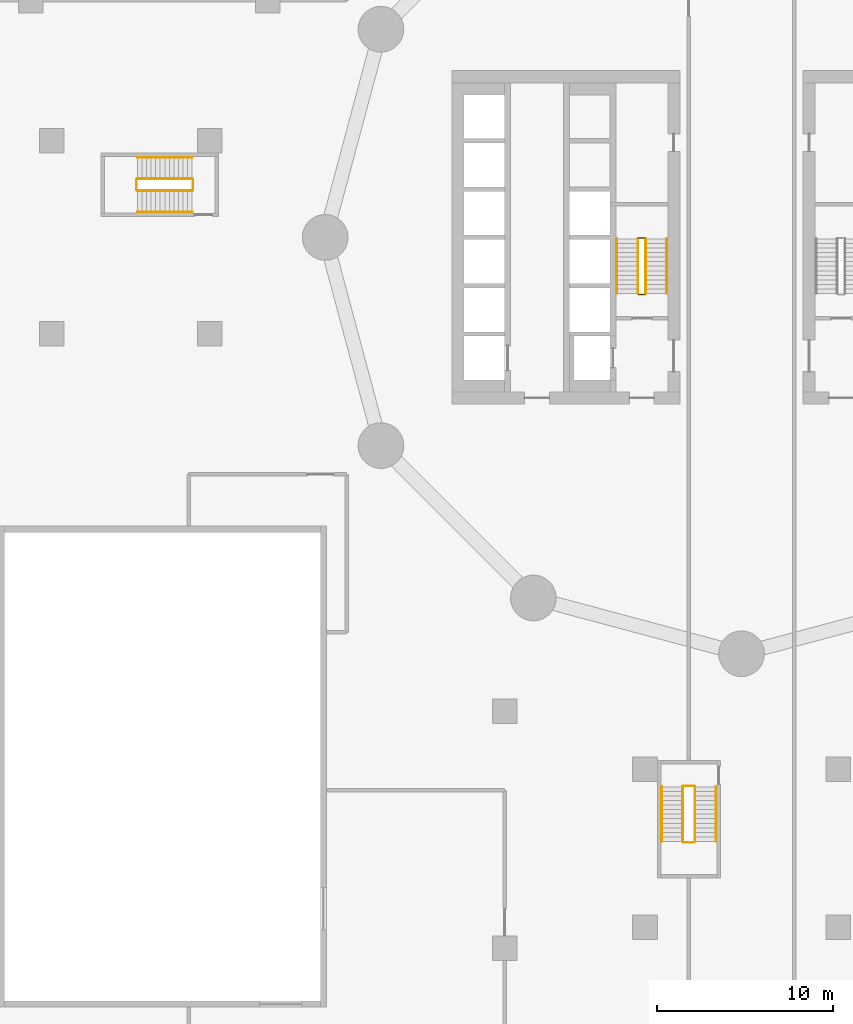
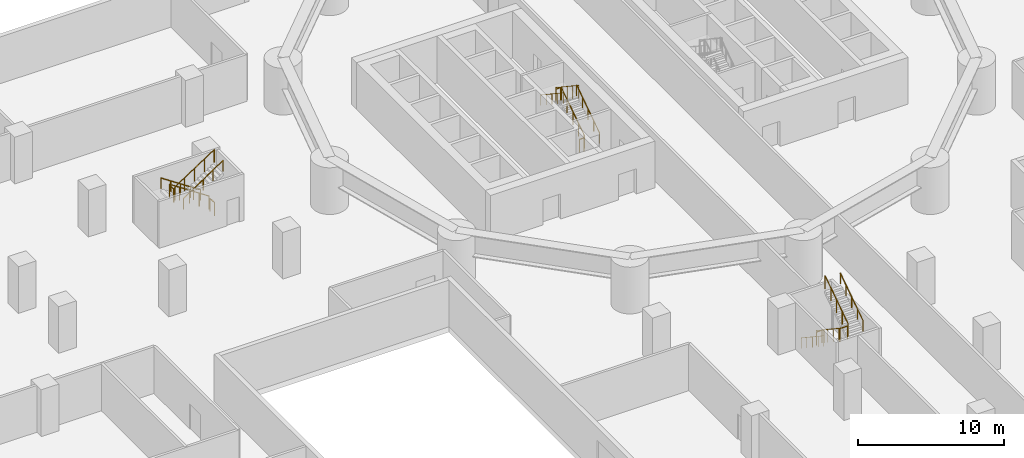
# One storey, part 13 of 16: 18 railings.
"""IFC4 building model written with IfcOpenShell, lengths in metres."""

from ifc_helpers import new_model, si_unit, direction, frame, origin, origin_2d, place, context, subcontext, project, spatial, circle, extrude, material, type_object, element, save


model = new_model("IFC4")

# Units and contexts
model_context = context("Model", 3, precision=1e-05, world=origin(), true_north=direction((0.0, 1.0)))
body_context = subcontext(model_context, "Body", "Model", "MODEL_VIEW")
ifc_project = project(units=[si_unit("LENGTHUNIT", "METRE"), si_unit("AREAUNIT", "SQUARE_METRE"), si_unit("VOLUMEUNIT", "CUBIC_METRE"), si_unit("PLANEANGLEUNIT", "RADIAN"), si_unit("MASSUNIT", "GRAM", prefix="KILO")], contexts=[model_context])

# Site, building, storey
site_placement = place(None, origin())
site = spatial("IfcSite", under=ifc_project, at=site_placement, CompositionType="ELEMENT")
building_placement = place(site_placement, origin())
building = spatial("IfcBuilding", under=site, at=building_placement, Name="Tamarind Cross Interchange Tower", CompositionType="ELEMENT")
storey_placement = place(building_placement, frame((0.0, 0.0, 25.0)))
storey = spatial("IfcBuildingStorey", under=building, at=storey_placement, Name="L04", CompositionType="ELEMENT", Elevation=25.0)

# Railings
ifc_material_1 = material(Name="Stair guard")
railing_type_1 = type_object("IfcRailingType", Name="Stair guard", PredefinedType="GUARDRAIL", material=ifc_material_1)
railing_1_placement = place(storey_placement, frame((-5.449951171875, -3.199951171875, 0.173095703125)))
element("IfcRailing", 1, at=railing_1_placement, inside=storey, type_object=railing_type_1, Name="L04 ST1 stair guard 1", PredefinedType="GUARDRAIL", context=body_context, shape_type="SweptSolid", body=[
    extrude(circle(Radius=0.02392578125, at=origin_2d()), frame((0.0, 0.0, 1.076171875), z_axis=(0.0, 0.832420903958, 0.554143879018), x_axis=(-1.0, 0.0, 0.0)), (0.0, 0.0, 1.0), 3.748046875),
    extrude(circle(Radius=0.02099609375, at=origin_2d()), origin(), (0.0, 0.0, 1.0), 1.052001953125),
    extrude(circle(Radius=0.02099609375, at=origin_2d()), frame((0.0, 0.780029296875, 0.519287109375)), (0.0, 0.0, 1.0), 1.052001953125),
    extrude(circle(Radius=0.02099609375, at=origin_2d()), frame((0.0, 1.56005859375, 1.03857421875)), (0.0, 0.0, 1.0), 1.052001953125),
    extrude(circle(Radius=0.02099609375, at=origin_2d()), frame((0.0, 2.33984375, 1.5576171875)), (0.0, 0.0, 1.0), 1.052001953125),
    extrude(circle(Radius=0.02099609375, at=origin_2d()), frame((0.0, 3.119873046875, 2.076904296875)), (0.0, 0.0, 1.0), 1.052001953125),
])
railing_2_placement = place(storey_placement, frame((-5.5, -0.030029296875, 2.25)))
element("IfcRailing", 2, at=railing_2_placement, inside=storey, type_object=railing_type_1, Name="L04 ST1 stair guard 2", PredefinedType="GUARDRAIL", context=body_context, shape_type="SweptSolid", body=[
    extrude(circle(Radius=0.02392578125, at=origin_2d()), frame((0.0, 0.0, 1.076171875), z_axis=(-1.0, 0.0, 0.0), x_axis=(0.0, -1.0, 0.0)), (0.0, 0.0, 1.0), 0.35009765625),
    extrude(circle(Radius=0.02099609375, at=origin_2d()), origin(), (0.0, 0.0, 1.0), 1.052001953125),
    extrude(circle(Radius=0.02099609375, at=origin_2d()), frame((-0.35009765625, 0.0, 0.0)), (0.0, 0.0, 1.0), 1.052001953125),
])
railing_3_placement = place(storey_placement, frame((-5.89990234375, -0.080078125, 2.423095703125)))
element("IfcRailing", 3, at=railing_3_placement, inside=storey, type_object=railing_type_1, Name="L04 ST1 stair guard 3", PredefinedType="GUARDRAIL", context=body_context, shape_type="SweptSolid", body=[
    extrude(circle(Radius=0.02392578125, at=origin_2d()), frame((0.0, 0.0, 1.076171875), z_axis=(0.0, -0.832420903958, 0.554143879018), x_axis=(1.0, 0.0, 0.0)), (0.0, 0.0, 1.0), 3.748046875),
    extrude(circle(Radius=0.02099609375, at=origin_2d()), origin(), (0.0, 0.0, 1.0), 1.052001953125),
    extrude(circle(Radius=0.02099609375, at=origin_2d()), frame((0.0, -0.780029296875, 0.519287109375)), (0.0, 0.0, 1.0), 1.052001953125),
    extrude(circle(Radius=0.02099609375, at=origin_2d()), frame((0.0, -1.56005859375, 1.03857421875)), (0.0, 0.0, 1.0), 1.052001953125),
    extrude(circle(Radius=0.02099609375, at=origin_2d()), frame((0.0, -2.33984375, 1.5576171875)), (0.0, 0.0, 1.0), 1.052001953125),
    extrude(circle(Radius=0.02099609375, at=origin_2d()), frame((0.0, -3.119873046875, 2.076904296875)), (0.0, 0.0, 1.0), 1.052001953125),
])
railing_4_placement = place(storey_placement, frame((-5.5, -3.25, 0.0)))
element("IfcRailing", 4, at=railing_4_placement, inside=storey, type_object=railing_type_1, Name="L04 ST1 stair guard 4", PredefinedType="GUARDRAIL", context=body_context, shape_type="SweptSolid", body=[
    extrude(circle(Radius=0.02392578125, at=origin_2d()), frame((0.0, 0.0, 1.076171875), z_axis=(-1.0, 0.0, 0.0), x_axis=(0.0, -1.0, 0.0)), (0.0, 0.0, 1.0), 0.35009765625),
    extrude(circle(Radius=0.02099609375, at=origin_2d()), origin(), (0.0, 0.0, 1.0), 1.052001953125),
    extrude(circle(Radius=0.02099609375, at=origin_2d()), frame((-0.35009765625, 0.0, 0.0)), (0.0, 0.0, 1.0), 1.052001953125),
])
railing_5_placement = place(storey_placement, frame((-31.300048828125, 3.35009765625, 0.173095703125)))
element("IfcRailing", 5, at=railing_5_placement, inside=storey, type_object=railing_type_1, Name="L04 ST5 stair guard 1", PredefinedType="GUARDRAIL", context=body_context, shape_type="SweptSolid", body=[
    extrude(circle(Radius=0.02392578125, at=origin_2d()), frame((0.0, 0.0, 1.076171875), z_axis=(-0.832420903958, 0.0, 0.554143879018), x_axis=(0.0, -1.0, 0.0)), (0.0, 0.0, 1.0), 3.748046875),
    extrude(circle(Radius=0.02099609375, at=origin_2d()), origin(), (0.0, 0.0, 1.0), 1.052001953125),
    extrude(circle(Radius=0.02099609375, at=origin_2d()), frame((-0.780029296875, 0.0, 0.519287109375)), (0.0, 0.0, 1.0), 1.052001953125),
    extrude(circle(Radius=0.02099609375, at=origin_2d()), frame((-1.56005859375, 0.0, 1.03857421875)), (0.0, 0.0, 1.0), 1.052001953125),
    extrude(circle(Radius=0.02099609375, at=origin_2d()), frame((-2.33984375, 0.0, 1.5576171875)), (0.0, 0.0, 1.0), 1.052001953125),
    extrude(circle(Radius=0.02099609375, at=origin_2d()), frame((-3.119873046875, 0.0, 2.076904296875)), (0.0, 0.0, 1.0), 1.052001953125),
])
railing_6_placement = place(storey_placement, frame((-34.469970703125, 3.300048828125, 2.25)))
element("IfcRailing", 6, at=railing_6_placement, inside=storey, type_object=railing_type_1, Name="L04 ST5 stair guard 2", PredefinedType="GUARDRAIL", context=body_context, shape_type="SweptSolid", body=[
    extrude(circle(Radius=0.02392578125, at=origin_2d()), frame((0.0, 0.0, 1.076171875), z_axis=(0.0, -1.0, 0.0), x_axis=(1.0, 0.0, 0.0)), (0.0, 0.0, 1.0), 0.60009765625),
    extrude(circle(Radius=0.02099609375, at=origin_2d()), origin(), (0.0, 0.0, 1.0), 1.052001953125),
    extrude(circle(Radius=0.02099609375, at=origin_2d()), frame((0.0, -0.60009765625, 0.0)), (0.0, 0.0, 1.0), 1.052001953125),
])
railing_7_placement = place(storey_placement, frame((-34.419921875, 2.64990234375, 2.423095703125)))
element("IfcRailing", 7, at=railing_7_placement, inside=storey, type_object=railing_type_1, Name="L04 ST5 stair guard 3", PredefinedType="GUARDRAIL", context=body_context, shape_type="SweptSolid", body=[
    extrude(circle(Radius=0.02392578125, at=origin_2d()), frame((0.0, 0.0, 1.076171875), z_axis=(0.832420903958, 0.0, 0.554143879018), x_axis=(0.0, 1.0, 0.0)), (0.0, 0.0, 1.0), 3.748046875),
    extrude(circle(Radius=0.02099609375, at=origin_2d()), origin(), (0.0, 0.0, 1.0), 1.052001953125),
    extrude(circle(Radius=0.02099609375, at=origin_2d()), frame((0.780029296875, 0.0, 0.519287109375)), (0.0, 0.0, 1.0), 1.052001953125),
    extrude(circle(Radius=0.02099609375, at=origin_2d()), frame((1.56005859375, 0.0, 1.03857421875)), (0.0, 0.0, 1.0), 1.052001953125),
    extrude(circle(Radius=0.02099609375, at=origin_2d()), frame((2.33984375, 0.0, 1.5576171875)), (0.0, 0.0, 1.0), 1.052001953125),
    extrude(circle(Radius=0.02099609375, at=origin_2d()), frame((3.119873046875, 0.0, 2.076904296875)), (0.0, 0.0, 1.0), 1.052001953125),
])
railing_8_placement = place(storey_placement, frame((-31.25, 3.300048828125, 0.0)))
element("IfcRailing", 8, at=railing_8_placement, inside=storey, type_object=railing_type_1, Name="L04 ST5 stair guard 4", PredefinedType="GUARDRAIL", context=body_context, shape_type="SweptSolid", body=[
    extrude(circle(Radius=0.02392578125, at=origin_2d()), frame((0.0, 0.0, 1.076171875), z_axis=(0.0, -1.0, 0.0), x_axis=(1.0, 0.0, 0.0)), (0.0, 0.0, 1.0), 0.60009765625),
    extrude(circle(Radius=0.02099609375, at=origin_2d()), origin(), (0.0, 0.0, 1.0), 1.052001953125),
    extrude(circle(Radius=0.02099609375, at=origin_2d()), frame((0.0, -0.60009765625, 0.0)), (0.0, 0.0, 1.0), 1.052001953125),
])
railing_9_placement = place(storey_placement, frame((-3.35009765625, -31.300048828125, 0.173095703125)))
element("IfcRailing", 9, at=railing_9_placement, inside=storey, type_object=railing_type_1, Name="L04 ST6 stair guard 1", PredefinedType="GUARDRAIL", context=body_context, shape_type="SweptSolid", body=[
    extrude(circle(Radius=0.02392578125, at=origin_2d()), frame((0.0, 0.0, 1.076171875), z_axis=(0.0, -0.832420903958, 0.554143879018), x_axis=(1.0, 0.0, 0.0)), (0.0, 0.0, 1.0), 3.748046875),
    extrude(circle(Radius=0.02099609375, at=origin_2d()), origin(), (0.0, 0.0, 1.0), 1.052001953125),
    extrude(circle(Radius=0.02099609375, at=origin_2d()), frame((0.0, -0.780029296875, 0.519287109375)), (0.0, 0.0, 1.0), 1.052001953125),
    extrude(circle(Radius=0.02099609375, at=origin_2d()), frame((0.0, -1.56005859375, 1.03857421875)), (0.0, 0.0, 1.0), 1.052001953125),
    extrude(circle(Radius=0.02099609375, at=origin_2d()), frame((0.0, -2.33984375, 1.5576171875)), (0.0, 0.0, 1.0), 1.052001953125),
    extrude(circle(Radius=0.02099609375, at=origin_2d()), frame((0.0, -3.119873046875, 2.076904296875)), (0.0, 0.0, 1.0), 1.052001953125),
])
railing_10_placement = place(storey_placement, frame((-3.300048828125, -34.469970703125, 2.25)))
element("IfcRailing", 10, at=railing_10_placement, inside=storey, type_object=railing_type_1, Name="L04 ST6 stair guard 2", PredefinedType="GUARDRAIL", context=body_context, shape_type="SweptSolid", body=[
    extrude(circle(Radius=0.02392578125, at=origin_2d()), frame((0.0, 0.0, 1.076171875), z_axis=(1.0, 0.0, 0.0), x_axis=(0.0, 1.0, 0.0)), (0.0, 0.0, 1.0), 0.60009765625),
    extrude(circle(Radius=0.02099609375, at=origin_2d()), origin(), (0.0, 0.0, 1.0), 1.052001953125),
    extrude(circle(Radius=0.02099609375, at=origin_2d()), frame((0.60009765625, 0.0, 0.0)), (0.0, 0.0, 1.0), 1.052001953125),
])
railing_11_placement = place(storey_placement, frame((-2.64990234375, -34.419921875, 2.423095703125)))
element("IfcRailing", 11, at=railing_11_placement, inside=storey, type_object=railing_type_1, Name="L04 ST6 stair guard 3", PredefinedType="GUARDRAIL", context=body_context, shape_type="SweptSolid", body=[
    extrude(circle(Radius=0.02392578125, at=origin_2d()), frame((0.0, 0.0, 1.076171875), z_axis=(0.0, 0.832420903958, 0.554143879018), x_axis=(-1.0, 0.0, 0.0)), (0.0, 0.0, 1.0), 3.748046875),
    extrude(circle(Radius=0.02099609375, at=origin_2d()), origin(), (0.0, 0.0, 1.0), 1.052001953125),
    extrude(circle(Radius=0.02099609375, at=origin_2d()), frame((0.0, 0.780029296875, 0.519287109375)), (0.0, 0.0, 1.0), 1.052001953125),
    extrude(circle(Radius=0.02099609375, at=origin_2d()), frame((0.0, 1.56005859375, 1.03857421875)), (0.0, 0.0, 1.0), 1.052001953125),
    extrude(circle(Radius=0.02099609375, at=origin_2d()), frame((0.0, 2.33984375, 1.5576171875)), (0.0, 0.0, 1.0), 1.052001953125),
    extrude(circle(Radius=0.02099609375, at=origin_2d()), frame((0.0, 3.119873046875, 2.076904296875)), (0.0, 0.0, 1.0), 1.052001953125),
])
railing_12_placement = place(storey_placement, frame((-3.300048828125, -31.25, 0.0)))
element("IfcRailing", 12, at=railing_12_placement, inside=storey, type_object=railing_type_1, Name="L04 ST6 stair guard 4", PredefinedType="GUARDRAIL", context=body_context, shape_type="SweptSolid", body=[
    extrude(circle(Radius=0.02392578125, at=origin_2d()), frame((0.0, 0.0, 1.076171875), z_axis=(1.0, 0.0, 0.0), x_axis=(0.0, 1.0, 0.0)), (0.0, 0.0, 1.0), 0.60009765625),
    extrude(circle(Radius=0.02099609375, at=origin_2d()), origin(), (0.0, 0.0, 1.0), 1.052001953125),
    extrude(circle(Radius=0.02099609375, at=origin_2d()), frame((0.60009765625, 0.0, 0.0)), (0.0, 0.0, 1.0), 1.052001953125),
])
ifc_material_2 = material(Name="Stair handrail")
railing_type_2 = type_object("IfcRailingType", Name="Stair handrail", PredefinedType="HANDRAIL", material=ifc_material_2)
railing_13_placement = place(storey_placement, frame((-4.25, -3.199951171875, 0.173095703125)))
element("IfcRailing", 13, at=railing_13_placement, inside=storey, type_object=railing_type_2, Name="L04 ST1 stair handrail 1", PredefinedType="HANDRAIL", context=body_context, shape_type="SweptSolid", body=[
    extrude(circle(Radius=0.02392578125, at=origin_2d()), frame((0.0, 0.0, 0.8759765625), z_axis=(0.0, 0.832420903958, 0.554143879018), x_axis=(-1.0, 0.0, 0.0)), (0.0, 0.0, 1.0), 3.748046875),
    extrude(circle(Radius=0.02099609375, at=origin_2d()), origin(), (0.0, 0.0, 1.0), 0.851806640625),
    extrude(circle(Radius=0.02099609375, at=origin_2d()), frame((0.0, 0.780029296875, 0.519287109375)), (0.0, 0.0, 1.0), 0.851806640625),
    extrude(circle(Radius=0.02099609375, at=origin_2d()), frame((0.0, 1.56005859375, 1.03857421875)), (0.0, 0.0, 1.0), 0.851806640625),
    extrude(circle(Radius=0.02099609375, at=origin_2d()), frame((0.0, 2.33984375, 1.5576171875)), (0.0, 0.0, 1.0), 0.851806640625),
    extrude(circle(Radius=0.02099609375, at=origin_2d()), frame((0.0, 3.119873046875, 2.076904296875)), (0.0, 0.0, 1.0), 0.851806640625),
])
railing_14_placement = place(storey_placement, frame((-7.10009765625, -0.080078125, 2.423095703125)))
element("IfcRailing", 14, at=railing_14_placement, inside=storey, type_object=railing_type_2, Name="L04 ST1 stair handrail 2", PredefinedType="HANDRAIL", context=body_context, shape_type="SweptSolid", body=[
    extrude(circle(Radius=0.02392578125, at=origin_2d()), frame((0.0, 0.0, 0.8759765625), z_axis=(0.0, -0.832420903958, 0.554143879018), x_axis=(1.0, 0.0, 0.0)), (0.0, 0.0, 1.0), 3.748046875),
    extrude(circle(Radius=0.02099609375, at=origin_2d()), origin(), (0.0, 0.0, 1.0), 0.851806640625),
    extrude(circle(Radius=0.02099609375, at=origin_2d()), frame((0.0, -0.780029296875, 0.519287109375)), (0.0, 0.0, 1.0), 0.851806640625),
    extrude(circle(Radius=0.02099609375, at=origin_2d()), frame((0.0, -1.56005859375, 1.03857421875)), (0.0, 0.0, 1.0), 0.851806640625),
    extrude(circle(Radius=0.02099609375, at=origin_2d()), frame((0.0, -2.33984375, 1.5576171875)), (0.0, 0.0, 1.0), 0.851806640625),
    extrude(circle(Radius=0.02099609375, at=origin_2d()), frame((0.0, -3.119873046875, 2.076904296875)), (0.0, 0.0, 1.0), 0.851806640625),
])
railing_15_placement = place(storey_placement, frame((-31.300048828125, 4.550048828125, 0.173095703125)))
element("IfcRailing", 15, at=railing_15_placement, inside=storey, type_object=railing_type_2, Name="L04 ST5 stair handrail 1", PredefinedType="HANDRAIL", context=body_context, shape_type="SweptSolid", body=[
    extrude(circle(Radius=0.02392578125, at=origin_2d()), frame((0.0, 0.0, 0.8759765625), z_axis=(-0.832420903958, 0.0, 0.554143879018), x_axis=(0.0, -1.0, 0.0)), (0.0, 0.0, 1.0), 3.748046875),
    extrude(circle(Radius=0.02099609375, at=origin_2d()), origin(), (0.0, 0.0, 1.0), 0.851806640625),
    extrude(circle(Radius=0.02099609375, at=origin_2d()), frame((-0.780029296875, 0.0, 0.519287109375)), (0.0, 0.0, 1.0), 0.851806640625),
    extrude(circle(Radius=0.02099609375, at=origin_2d()), frame((-1.56005859375, 0.0, 1.03857421875)), (0.0, 0.0, 1.0), 0.851806640625),
    extrude(circle(Radius=0.02099609375, at=origin_2d()), frame((-2.33984375, 0.0, 1.5576171875)), (0.0, 0.0, 1.0), 0.851806640625),
    extrude(circle(Radius=0.02099609375, at=origin_2d()), frame((-3.119873046875, 0.0, 2.076904296875)), (0.0, 0.0, 1.0), 0.851806640625),
])
railing_16_placement = place(storey_placement, frame((-34.419921875, 1.449951171875, 2.423095703125)))
element("IfcRailing", 16, at=railing_16_placement, inside=storey, type_object=railing_type_2, Name="L04 ST5 stair handrail 2", PredefinedType="HANDRAIL", context=body_context, shape_type="SweptSolid", body=[
    extrude(circle(Radius=0.02392578125, at=origin_2d()), frame((0.0, 0.0, 0.8759765625), z_axis=(0.832420903958, 0.0, 0.554143879018), x_axis=(0.0, 1.0, 0.0)), (0.0, 0.0, 1.0), 3.748046875),
    extrude(circle(Radius=0.02099609375, at=origin_2d()), origin(), (0.0, 0.0, 1.0), 0.851806640625),
    extrude(circle(Radius=0.02099609375, at=origin_2d()), frame((0.780029296875, 0.0, 0.519287109375)), (0.0, 0.0, 1.0), 0.851806640625),
    extrude(circle(Radius=0.02099609375, at=origin_2d()), frame((1.56005859375, 0.0, 1.03857421875)), (0.0, 0.0, 1.0), 0.851806640625),
    extrude(circle(Radius=0.02099609375, at=origin_2d()), frame((2.33984375, 0.0, 1.5576171875)), (0.0, 0.0, 1.0), 0.851806640625),
    extrude(circle(Radius=0.02099609375, at=origin_2d()), frame((3.119873046875, 0.0, 2.076904296875)), (0.0, 0.0, 1.0), 0.851806640625),
])
railing_17_placement = place(storey_placement, frame((-4.550048828125, -31.300048828125, 0.173095703125)))
element("IfcRailing", 17, at=railing_17_placement, inside=storey, type_object=railing_type_2, Name="L04 ST6 stair handrail 1", PredefinedType="HANDRAIL", context=body_context, shape_type="SweptSolid", body=[
    extrude(circle(Radius=0.02392578125, at=origin_2d()), frame((0.0, 0.0, 0.8759765625), z_axis=(0.0, -0.832420903958, 0.554143879018), x_axis=(1.0, 0.0, 0.0)), (0.0, 0.0, 1.0), 3.748046875),
    extrude(circle(Radius=0.02099609375, at=origin_2d()), origin(), (0.0, 0.0, 1.0), 0.851806640625),
    extrude(circle(Radius=0.02099609375, at=origin_2d()), frame((0.0, -0.780029296875, 0.519287109375)), (0.0, 0.0, 1.0), 0.851806640625),
    extrude(circle(Radius=0.02099609375, at=origin_2d()), frame((0.0, -1.56005859375, 1.03857421875)), (0.0, 0.0, 1.0), 0.851806640625),
    extrude(circle(Radius=0.02099609375, at=origin_2d()), frame((0.0, -2.33984375, 1.5576171875)), (0.0, 0.0, 1.0), 0.851806640625),
    extrude(circle(Radius=0.02099609375, at=origin_2d()), frame((0.0, -3.119873046875, 2.076904296875)), (0.0, 0.0, 1.0), 0.851806640625),
])
railing_18_placement = place(storey_placement, frame((-1.449951171875, -34.419921875, 2.423095703125)))
element("IfcRailing", 18, at=railing_18_placement, inside=storey, type_object=railing_type_2, Name="L04 ST6 stair handrail 2", PredefinedType="HANDRAIL", context=body_context, shape_type="SweptSolid", body=[
    extrude(circle(Radius=0.02392578125, at=origin_2d()), frame((0.0, 0.0, 0.8759765625), z_axis=(0.0, 0.832420903958, 0.554143879018), x_axis=(-1.0, 0.0, 0.0)), (0.0, 0.0, 1.0), 3.748046875),
    extrude(circle(Radius=0.02099609375, at=origin_2d()), origin(), (0.0, 0.0, 1.0), 0.851806640625),
    extrude(circle(Radius=0.02099609375, at=origin_2d()), frame((0.0, 0.780029296875, 0.519287109375)), (0.0, 0.0, 1.0), 0.851806640625),
    extrude(circle(Radius=0.02099609375, at=origin_2d()), frame((0.0, 1.56005859375, 1.03857421875)), (0.0, 0.0, 1.0), 0.851806640625),
    extrude(circle(Radius=0.02099609375, at=origin_2d()), frame((0.0, 2.33984375, 1.5576171875)), (0.0, 0.0, 1.0), 0.851806640625),
    extrude(circle(Radius=0.02099609375, at=origin_2d()), frame((0.0, 3.119873046875, 2.076904296875)), (0.0, 0.0, 1.0), 0.851806640625),
])

save(model, "model.ifc")
